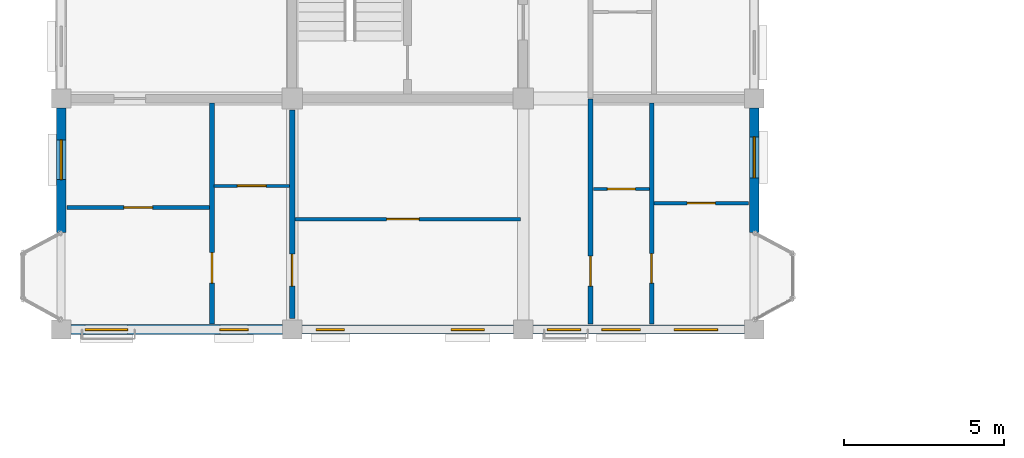
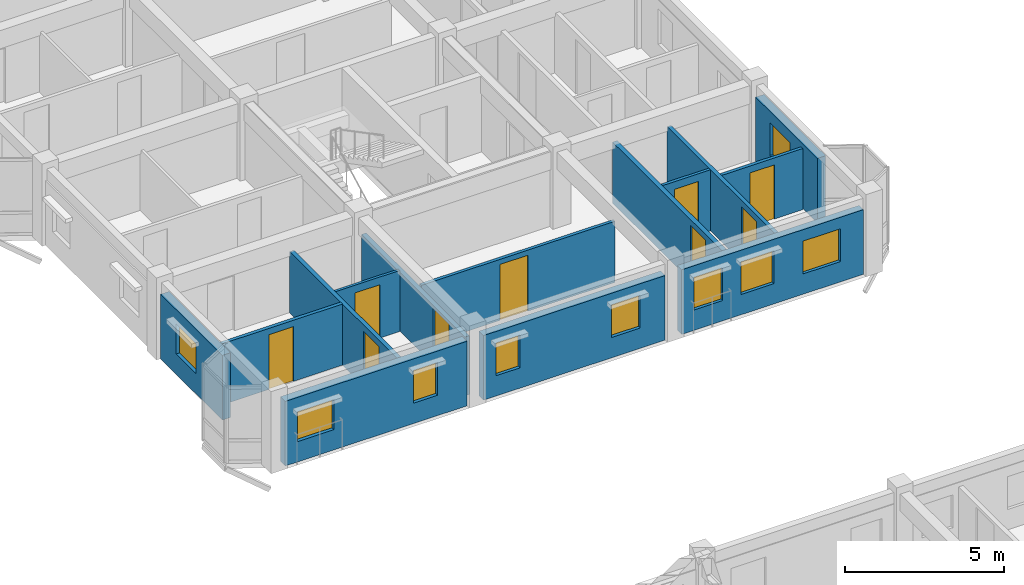
# One storey, part 94 of 124: 14 walls, 9 doors, 9 windows, 18 openings.
"""IFC4 building model written with IfcOpenShell, lengths in metres."""

from ifc_helpers import new_model, si_unit, direction, frame, frame_2d, origin, place, context, subcontext, project, spatial, rectangle, extrude, material, layer, layer_set, type_object, element, fill, save


model = new_model("IFC4")

# Units and contexts
model_context = context("Model", 3, precision=1e-05, world=origin(), true_north=direction((0.0, 1.0)))
body_context = subcontext(model_context, "Body", "Model", "MODEL_VIEW")
ifc_project = project(units=[si_unit("LENGTHUNIT", "METRE"), si_unit("AREAUNIT", "SQUARE_METRE"), si_unit("VOLUMEUNIT", "CUBIC_METRE"), si_unit("PLANEANGLEUNIT", "RADIAN"), si_unit("MASSUNIT", "GRAM", prefix="KILO"), si_unit("THERMODYNAMICTEMPERATUREUNIT", "KELVIN"), si_unit("POWERUNIT", "WATT")], contexts=[model_context])

# Site, building, storey
site_placement = place(None, origin())
site = spatial("IfcSite", under=ifc_project, at=site_placement, CompositionType="ELEMENT")
building_placement = place(site_placement, origin())
building = spatial("IfcBuilding", under=site, at=building_placement, Name="Tavuni Mirador Residences", CompositionType="ELEMENT")
storey_placement = place(building_placement, frame((0.0, 0.0, 7.64990234375)))
storey = spatial("IfcBuildingStorey", under=building, at=storey_placement, Name="L02", CompositionType="ELEMENT", Elevation=7.64990234375)

# Wall, opening, door
ifc_material_1 = material(Name="Precast concrete C40/50", Category="concrete")
ifc_layer_1 = layer(ifc_material_1, 0.1650390625, Name="Precast concrete C40/50", Category="concrete")
ifc_layer_set_1 = layer_set([ifc_layer_1], Name="Precast concrete C40/50")
wall_type_1 = type_object("IfcWallType", Name="WT-CORR165", PredefinedType="PARTITIONING", material=ifc_layer_set_1)
wall_1_placement = place(storey_placement, frame((20.10009765625, 64.97509765625, 0.0), z_axis=(0.0, 0.0, 1.0), x_axis=(0.0, 1.0, 0.0)))
wall_1 = element("IfcWall", 1, at=wall_1_placement, inside=storey, type_object=wall_type_1, Name="CORW-BLK-B-L02-0-00", PredefinedType="PARTITIONING", context=body_context, shape_type="SweptSolid", body=[
    extrude(rectangle(XDim=7.0048828125, YDim=0.1650390625, at=frame_2d((3.50244140625, 0.0))), origin(), (0.0, 0.0, 1.0), 2.34521484375),
])
opening_1_placement = place(wall_1_placement, frame((1.175048828125, 0.0, 0.0)))
opening_1 = element("IfcOpeningElement", 2, at=opening_1_placement, cuts=wall_1, Name="Opening D-19", PredefinedType="OPENING", context=body_context, shape_type="SweptSolid", body=[
    extrude(rectangle(XDim=0.93994140625, YDim=2.1201171875, at=frame_2d((0.469970703125, 1.06005859375))), frame((0.0, 0.092529296875, 0.0), z_axis=(0.0, -1.0, 0.0), x_axis=(1.0, 0.0, 0.0)), (0.0, 0.0, 1.0), 0.18505859375),
])
ifc_material_2 = material(Name="Solid core iroko timber", Category="wood")
door_type_1 = type_object("IfcDoorType", Name="DT-FD60-940", OperationType="NOTDEFINED", PredefinedType="DOOR", material=ifc_material_2)
door_1_placement = place(opening_1_placement, origin())
door_1 = element("IfcDoor", 3, at=door_1_placement, inside=storey, type_object=door_type_1, Name="DR-2545", OperationType="SINGLE_SWING_RIGHT", OverallHeight=2.1201171875, OverallWidth=0.93994140625, PredefinedType="DOOR", context=body_context, shape_type="SweptSolid", body=[
    extrude(rectangle(XDim=0.93994140625, YDim=2.1201171875, at=frame_2d((0.469970703125, 1.06005859375))), frame((0.0, 0.02490234375, 0.0), z_axis=(0.0, -1.0, 0.0), x_axis=(1.0, 0.0, 0.0)), (0.0, 0.0, 1.0), 0.050048828125),
])
fill(opening_1, door_1)

wall_2_placement = place(storey_placement, frame((10.800048828125, 65.14990234375, 0.0), z_axis=(0.0, 0.0, 1.0), x_axis=(0.0, 1.0, 0.0)))
wall_2 = element("IfcWall", 4, at=wall_2_placement, inside=storey, type_object=wall_type_1, Name="CORW-BLK-B-L02-1-00", PredefinedType="PARTITIONING", context=body_context, shape_type="SweptSolid", body=[
    extrude(rectangle(XDim=6.5, YDim=0.1650390625, at=frame_2d((3.25, 0.0))), origin(), (0.0, 0.0, 1.0), 2.260009765625),
])
opening_2_placement = place(wall_2_placement, frame((1.0, 0.0, 0.0)))
opening_2 = element("IfcOpeningElement", 5, at=opening_2_placement, cuts=wall_2, Name="Opening D-03", PredefinedType="OPENING", context=body_context, shape_type="SweptSolid", body=[
    extrude(rectangle(XDim=1.0, YDim=2.14990234375, at=frame_2d((0.5, 1.074951171875))), frame((0.0, 0.092529296875, 0.0), z_axis=(0.0, -1.0, 0.0), x_axis=(1.0, 0.0, 0.0)), (0.0, 0.0, 1.0), 0.18505859375),
])
door_type_2 = type_object("IfcDoorType", Name="DT-FD60-1000", OperationType="NOTDEFINED", PredefinedType="DOOR", material=ifc_material_2)
door_2_placement = place(opening_2_placement, origin())
door_2 = element("IfcDoor", 6, at=door_2_placement, inside=storey, type_object=door_type_2, Name="DR-2550", OperationType="SINGLE_SWING_LEFT", OverallHeight=2.14990234375, OverallWidth=1.0, PredefinedType="DOOR", context=body_context, shape_type="SweptSolid", body=[
    extrude(rectangle(XDim=1.0, YDim=2.14990234375, at=frame_2d((0.5, 1.074951171875))), frame((0.0, 0.02490234375, 0.0), z_axis=(0.0, -1.0, 0.0), x_axis=(1.0, 0.0, 0.0)), (0.0, 0.0, 1.0), 0.050048828125),
])
fill(opening_2, door_2)

# Wall, openings, windows
ifc_material_3 = material(Name="Sgraffito lime-rendered precast concrete C40/50", Category="concrete")
ifc_layer_2 = layer(ifc_material_3, 0.27490234375, Name="Sgraffito lime-rendered precast concrete C40/50", Category="concrete")
ifc_layer_set_2 = layer_set([ifc_layer_2], Name="Sgraffito lime-rendered precast concrete C40/50")
wall_type_2 = type_object("IfcWallType", Name="WT-EXT-PC275", PredefinedType="SOLIDWALL", material=ifc_layer_set_2)
wall_3_placement = place(storey_placement, frame((18.300048828125, 64.800048828125, 0.0), z_axis=(0.0, 0.0, 1.0), x_axis=(1.0, 0.0, 0.0)))
wall_3 = element("IfcWall", 7, at=wall_3_placement, inside=storey, type_object=wall_type_2, Name="EW-BLK-B-L02-S02", PredefinedType="SOLIDWALL", context=body_context, shape_type="SweptSolid", body=[
    extrude(rectangle(XDim=6.599853515625, YDim=0.27490234375, at=frame_2d((3.2998046875, 0.0))), origin(), (0.0, 0.0, 1.0), 2.47998046875),
])
opening_3_placement = place(wall_3_placement, frame((0.449951171875, 0.0, 0.780029296875)))
opening_3 = element("IfcOpeningElement", 8, at=opening_3_placement, cuts=wall_3, Name="Opening WN-11", PredefinedType="OPENING", context=body_context, shape_type="SweptSolid", body=[
    extrude(rectangle(XDim=1.0400390625, YDim=1.260009765625, at=frame_2d((0.52001953125, 0.6298828125))), frame((0.0, 0.1474609375, 0.0), z_axis=(0.0, -1.0, 0.0), x_axis=(1.0, 0.0, 0.0)), (0.0, 0.0, 1.0), 0.294921875),
])
opening_4_placement = place(wall_3_placement, frame((2.14990234375, 0.0, 0.780029296875)))
opening_4 = element("IfcOpeningElement", 9, at=opening_4_placement, cuts=wall_3, Name="Opening WN-13", PredefinedType="OPENING", context=body_context, shape_type="SweptSolid", body=[
    extrude(rectangle(XDim=1.199951171875, YDim=1.260009765625, at=frame_2d((0.60009765625, 0.6298828125))), frame((0.0, 0.1474609375, 0.0), z_axis=(0.0, -1.0, 0.0), x_axis=(1.0, 0.0, 0.0)), (0.0, 0.0, 1.0), 0.294921875),
])
opening_5_placement = place(wall_3_placement, frame((4.39990234375, 0.0, 0.780029296875)))
opening_5 = element("IfcOpeningElement", 10, at=opening_5_placement, cuts=wall_3, Name="Opening WN-15", PredefinedType="OPENING", context=body_context, shape_type="SweptSolid", body=[
    extrude(rectangle(XDim=1.360107421875, YDim=1.260009765625, at=frame_2d((0.68017578125, 0.6298828125))), frame((0.0, 0.1474609375, 0.0), z_axis=(0.0, -1.0, 0.0), x_axis=(1.0, 0.0, 0.0)), (0.0, 0.0, 1.0), 0.294921875),
])
ifc_material_4 = material(Name="Laminated solar-control glass", Category="glass")
window_type_1 = type_object("IfcWindowType", Name="WNT-11", PartitioningType="SINGLE_PANEL", PredefinedType="WINDOW", material=ifc_material_4)
window_1_placement = place(opening_3_placement, origin())
window_1 = element("IfcWindow", 11, at=window_1_placement, inside=storey, type_object=window_type_1, Name="WIN-0608", OverallHeight=1.260009765625, OverallWidth=1.0400390625, PartitioningType="SINGLE_PANEL", PredefinedType="WINDOW", context=body_context, shape_type="SweptSolid", body=[
    extrude(rectangle(XDim=1.0400390625, YDim=1.260009765625, at=frame_2d((0.52001953125, 0.6298828125))), frame((0.0, 0.030029296875, 0.0), z_axis=(0.0, -1.0, 0.0), x_axis=(1.0, 0.0, 0.0)), (0.0, 0.0, 1.0), 0.06005859375),
])
fill(opening_3, window_1)
window_type_2 = type_object("IfcWindowType", Name="WNT-13", PartitioningType="SINGLE_PANEL", PredefinedType="WINDOW", material=ifc_material_4)
window_2_placement = place(opening_4_placement, origin())
window_2 = element("IfcWindow", 12, at=window_2_placement, inside=storey, type_object=window_type_2, Name="WIN-0609", OverallHeight=1.260009765625, OverallWidth=1.199951171875, PartitioningType="SINGLE_PANEL", PredefinedType="WINDOW", context=body_context, shape_type="SweptSolid", body=[
    extrude(rectangle(XDim=1.199951171875, YDim=1.260009765625, at=frame_2d((0.60009765625, 0.6298828125))), frame((0.0, 0.030029296875, 0.0), z_axis=(0.0, -1.0, 0.0), x_axis=(1.0, 0.0, 0.0)), (0.0, 0.0, 1.0), 0.06005859375),
])
fill(opening_4, window_2)
window_type_3 = type_object("IfcWindowType", Name="WNT-15", PartitioningType="SINGLE_PANEL", PredefinedType="WINDOW", material=ifc_material_4)
window_3_placement = place(opening_5_placement, origin())
window_3 = element("IfcWindow", 13, at=window_3_placement, inside=storey, type_object=window_type_3, Name="WIN-0610", OverallHeight=1.260009765625, OverallWidth=1.360107421875, PartitioningType="SINGLE_PANEL", PredefinedType="WINDOW", context=body_context, shape_type="SweptSolid", body=[
    extrude(rectangle(XDim=1.360107421875, YDim=1.260009765625, at=frame_2d((0.68017578125, 0.6298828125))), frame((0.0, 0.030029296875, 0.0), z_axis=(0.0, -1.0, 0.0), x_axis=(1.0, 0.0, 0.0)), (0.0, 0.0, 1.0), 0.06005859375),
])
fill(opening_5, window_3)

ifc_layer_3 = layer(ifc_material_3, 0.2900390625, Name="Sgraffito lime-rendered precast concrete C40/50", Category="concrete")
ifc_layer_set_3 = layer_set([ifc_layer_3], Name="Sgraffito lime-rendered precast concrete C40/50")
wall_type_3 = type_object("IfcWallType", Name="WT-EXT-PC290", PredefinedType="SOLIDWALL", material=ifc_layer_set_3)
wall_4_placement = place(storey_placement, frame((11.10009765625, 64.800048828125, 0.0), z_axis=(0.0, 0.0, 1.0), x_axis=(1.0, 0.0, 0.0)))
wall_4 = element("IfcWall", 14, at=wall_4_placement, inside=storey, type_object=wall_type_3, Name="EW-BLK-B-L02-S01", PredefinedType="SOLIDWALL", context=body_context, shape_type="SweptSolid", body=[
    extrude(rectangle(XDim=6.599853515625, YDim=0.2900390625, at=frame_2d((3.2998046875, 0.0))), origin(), (0.0, 0.0, 1.0), 2.47998046875),
])
opening_6_placement = place(wall_4_placement, frame((0.449951171875, 0.0, 0.780029296875)))
opening_6 = element("IfcOpeningElement", 15, at=opening_6_placement, cuts=wall_4, Name="Opening WN-09", PredefinedType="OPENING", context=body_context, shape_type="SweptSolid", body=[
    extrude(rectangle(XDim=0.8798828125, YDim=1.260009765625, at=frame_2d((0.43994140625, 0.6298828125))), frame((0.0, 0.155029296875, 0.0), z_axis=(0.0, -1.0, 0.0), x_axis=(1.0, 0.0, 0.0)), (0.0, 0.0, 1.0), 0.31005859375),
])
opening_7_placement = place(wall_4_placement, frame((4.64990234375, 0.0, 0.780029296875)))
opening_7 = element("IfcOpeningElement", 16, at=opening_7_placement, cuts=wall_4, Name="Opening WN-11", PredefinedType="OPENING", context=body_context, shape_type="SweptSolid", body=[
    extrude(rectangle(XDim=1.0400390625, YDim=1.260009765625, at=frame_2d((0.52001953125, 0.6298828125))), frame((0.0, 0.155029296875, 0.0), z_axis=(0.0, -1.0, 0.0), x_axis=(1.0, 0.0, 0.0)), (0.0, 0.0, 1.0), 0.31005859375),
])
window_type_4 = type_object("IfcWindowType", Name="WNT-09", PartitioningType="SINGLE_PANEL", PredefinedType="WINDOW", material=ifc_material_4)
window_4_placement = place(opening_6_placement, origin())
window_4 = element("IfcWindow", 17, at=window_4_placement, inside=storey, type_object=window_type_4, Name="WIN-0606", OverallHeight=1.260009765625, OverallWidth=0.8798828125, PartitioningType="SINGLE_PANEL", PredefinedType="WINDOW", context=body_context, shape_type="SweptSolid", body=[
    extrude(rectangle(XDim=0.8798828125, YDim=1.260009765625, at=frame_2d((0.43994140625, 0.6298828125))), frame((0.0, 0.030029296875, 0.0), z_axis=(0.0, -1.0, 0.0), x_axis=(1.0, 0.0, 0.0)), (0.0, 0.0, 1.0), 0.06005859375),
])
fill(opening_6, window_4)
window_5_placement = place(opening_7_placement, origin())
window_5 = element("IfcWindow", 18, at=window_5_placement, inside=storey, type_object=window_type_1, Name="WIN-0607", OverallHeight=1.260009765625, OverallWidth=1.0400390625, PartitioningType="SINGLE_PANEL", PredefinedType="WINDOW", context=body_context, shape_type="SweptSolid", body=[
    extrude(rectangle(XDim=1.0400390625, YDim=1.260009765625, at=frame_2d((0.52001953125, 0.6298828125))), frame((0.0, 0.030029296875, 0.0), z_axis=(0.0, -1.0, 0.0), x_axis=(1.0, 0.0, 0.0)), (0.0, 0.0, 1.0), 0.06005859375),
])
fill(opening_7, window_5)

ifc_layer_4 = layer(ifc_material_3, 0.304931640625, Name="Sgraffito lime-rendered precast concrete C40/50", Category="concrete")
ifc_layer_set_4 = layer_set([ifc_layer_4], Name="Sgraffito lime-rendered precast concrete C40/50")
wall_type_4 = type_object("IfcWallType", Name="WT-EXT-PC305", PredefinedType="SOLIDWALL", material=ifc_layer_set_4)
wall_5_placement = place(storey_placement, frame((3.89990234375, 64.800048828125, 0.0), z_axis=(0.0, 0.0, 1.0), x_axis=(1.0, 0.0, 0.0)))
wall_5 = element("IfcWall", 19, at=wall_5_placement, inside=storey, type_object=wall_type_4, Name="EW-BLK-B-L02-S00", PredefinedType="SOLIDWALL", context=body_context, shape_type="SweptSolid", body=[
    extrude(rectangle(XDim=6.60009765625, YDim=0.304931640625, at=frame_2d((3.300048828125, 0.0))), origin(), (0.0, 0.0, 1.0), 2.47998046875),
])
opening_8_placement = place(wall_5_placement, frame((0.449951171875, 0.0, 0.780029296875)))
opening_8 = element("IfcOpeningElement", 20, at=opening_8_placement, cuts=wall_5, Name="Opening WN-07", PredefinedType="OPENING", context=body_context, shape_type="SweptSolid", body=[
    extrude(rectangle(XDim=1.320068359375, YDim=1.14990234375, at=frame_2d((0.66015625, 0.574951171875))), frame((0.0, 0.16259765625, 0.0), z_axis=(0.0, -1.0, 0.0), x_axis=(1.0, 0.0, 0.0)), (0.0, 0.0, 1.0), 0.324951171875),
])
opening_9_placement = place(wall_5_placement, frame((4.64990234375, 0.0, 0.780029296875)))
opening_9 = element("IfcOpeningElement", 21, at=opening_9_placement, cuts=wall_5, Name="Opening WN-09", PredefinedType="OPENING", context=body_context, shape_type="SweptSolid", body=[
    extrude(rectangle(XDim=0.8798828125, YDim=1.260009765625, at=frame_2d((0.43994140625, 0.6298828125))), frame((0.0, 0.16259765625, 0.0), z_axis=(0.0, -1.0, 0.0), x_axis=(1.0, 0.0, 0.0)), (0.0, 0.0, 1.0), 0.324951171875),
])
window_type_5 = type_object("IfcWindowType", Name="WNT-07", PartitioningType="SINGLE_PANEL", PredefinedType="WINDOW", material=ifc_material_4)
window_6_placement = place(opening_8_placement, origin())
window_6 = element("IfcWindow", 22, at=window_6_placement, inside=storey, type_object=window_type_5, Name="WIN-0604", OverallHeight=1.14990234375, OverallWidth=1.320068359375, PartitioningType="SINGLE_PANEL", PredefinedType="WINDOW", context=body_context, shape_type="SweptSolid", body=[
    extrude(rectangle(XDim=1.320068359375, YDim=1.14990234375, at=frame_2d((0.66015625, 0.574951171875))), frame((0.0, 0.030029296875, 0.0), z_axis=(0.0, -1.0, 0.0), x_axis=(1.0, 0.0, 0.0)), (0.0, 0.0, 1.0), 0.06005859375),
])
fill(opening_8, window_6)
window_7_placement = place(opening_9_placement, origin())
window_7 = element("IfcWindow", 23, at=window_7_placement, inside=storey, type_object=window_type_4, Name="WIN-0605", OverallHeight=1.260009765625, OverallWidth=0.8798828125, PartitioningType="SINGLE_PANEL", PredefinedType="WINDOW", context=body_context, shape_type="SweptSolid", body=[
    extrude(rectangle(XDim=0.8798828125, YDim=1.260009765625, at=frame_2d((0.43994140625, 0.6298828125))), frame((0.0, 0.030029296875, 0.0), z_axis=(0.0, -1.0, 0.0), x_axis=(1.0, 0.0, 0.0)), (0.0, 0.0, 1.0), 0.06005859375),
])
fill(opening_9, window_7)

# Wall, opening, window
wall_6_placement = place(storey_placement, frame((25.199951171875, 67.820068359375, 0.0), z_axis=(0.0, 0.0, 1.0), x_axis=(0.0, 1.0, 0.0)))
wall_6 = element("IfcWall", 24, at=wall_6_placement, inside=storey, type_object=wall_type_4, Name="EW-BLK-B-L02-E00", PredefinedType="SOLIDWALL", context=body_context, shape_type="SweptSolid", body=[
    extrude(rectangle(XDim=3.8798828125, YDim=0.304931640625, at=frame_2d((1.93994140625, 0.0))), origin(), (0.0, 0.0, 1.0), 2.47998046875),
])
opening_10_placement = place(wall_6_placement, frame((1.705078125, 0.0, 0.780029296875)))
opening_10 = element("IfcOpeningElement", 25, at=opening_10_placement, cuts=wall_6, Name="Opening WN-14", PredefinedType="OPENING", context=body_context, shape_type="SweptSolid", body=[
    extrude(rectangle(XDim=1.280029296875, YDim=1.260009765625, at=frame_2d((0.64013671875, 0.6298828125))), frame((0.0, 0.16259765625, 0.0), z_axis=(0.0, -1.0, 0.0), x_axis=(1.0, 0.0, 0.0)), (0.0, 0.0, 1.0), 0.324951171875),
])
window_type_6 = type_object("IfcWindowType", Name="WNT-14", PartitioningType="SINGLE_PANEL", PredefinedType="WINDOW", material=ifc_material_4)
window_8_placement = place(opening_10_placement, origin())
window_8 = element("IfcWindow", 26, at=window_8_placement, inside=storey, type_object=window_type_6, Name="WIN-0611", OverallHeight=1.260009765625, OverallWidth=1.280029296875, PartitioningType="SINGLE_PANEL", PredefinedType="WINDOW", context=body_context, shape_type="SweptSolid", body=[
    extrude(rectangle(XDim=1.280029296875, YDim=1.260009765625, at=frame_2d((0.64013671875, 0.6298828125))), frame((0.0, 0.030029296875, 0.0), z_axis=(0.0, -1.0, 0.0), x_axis=(1.0, 0.0, 0.0)), (0.0, 0.0, 1.0), 0.06005859375),
])
fill(opening_10, window_8)

wall_7_placement = place(storey_placement, frame((3.60009765625, 71.699951171875, 0.0), z_axis=(0.0, 0.0, 1.0), x_axis=(0.0, -1.0, 0.0)))
wall_7 = element("IfcWall", 27, at=wall_7_placement, inside=storey, type_object=wall_type_4, Name="EW-BLK-B-L02-W00", PredefinedType="SOLIDWALL", context=body_context, shape_type="SweptSolid", body=[
    extrude(rectangle(XDim=3.8798828125, YDim=0.304931640625, at=frame_2d((1.93994140625, 0.0))), origin(), (0.0, 0.0, 1.0), 2.47998046875),
])
opening_11_placement = place(wall_7_placement, frame((0.985107421875, 0.0, 0.780029296875)))
opening_11 = element("IfcOpeningElement", 28, at=opening_11_placement, cuts=wall_7, Name="Opening WN-06", PredefinedType="OPENING", context=body_context, shape_type="SweptSolid", body=[
    extrude(rectangle(XDim=1.239990234375, YDim=1.14990234375, at=frame_2d((0.6201171875, 0.574951171875))), frame((0.0, 0.16259765625, 0.0), z_axis=(0.0, -1.0, 0.0), x_axis=(1.0, 0.0, 0.0)), (0.0, 0.0, 1.0), 0.324951171875),
])
window_type_7 = type_object("IfcWindowType", Name="WNT-06", PartitioningType="SINGLE_PANEL", PredefinedType="WINDOW", material=ifc_material_4)
window_9_placement = place(opening_11_placement, origin())
window_9 = element("IfcWindow", 29, at=window_9_placement, inside=storey, type_object=window_type_7, Name="WIN-0633", OverallHeight=1.14990234375, OverallWidth=1.239990234375, PartitioningType="SINGLE_PANEL", PredefinedType="WINDOW", context=body_context, shape_type="SweptSolid", body=[
    extrude(rectangle(XDim=1.239990234375, YDim=1.14990234375, at=frame_2d((0.6201171875, 0.574951171875))), frame((0.0, 0.030029296875, 0.0), z_axis=(0.0, -1.0, 0.0), x_axis=(1.0, 0.0, 0.0)), (0.0, 0.0, 1.0), 0.06005859375),
])
fill(opening_11, window_9)

# Wall, opening, door
ifc_material_5 = material(Name="Acoustic gypsum and concrete block partition", Category="concrete")
ifc_layer_5 = layer(ifc_material_5, 0.094970703125, Name="Acoustic gypsum and concrete block partition", Category="concrete")
ifc_layer_set_5 = layer_set([ifc_layer_5], Name="Acoustic gypsum and concrete block partition")
wall_type_5 = type_object("IfcWallType", Name="WT-PART095", PredefinedType="PARTITIONING", material=ifc_layer_set_5)
wall_8_placement = place(storey_placement, frame((8.3701171875, 69.280029296875, 0.0), z_axis=(0.0, 0.0, 1.0), x_axis=(1.0, 0.0, 0.0)))
wall_8 = element("IfcWall", 30, at=wall_8_placement, inside=storey, type_object=wall_type_5, Name="PW-BLK-B-L02-W00-IN1", PredefinedType="PARTITIONING", context=body_context, shape_type="SweptSolid", body=[
    extrude(rectangle(XDim=2.33984375, YDim=0.094970703125, at=frame_2d((1.169921875, 0.0))), origin(), (0.0, 0.0, 1.0), 2.34521484375),
])
opening_12_placement = place(wall_8_placement, frame((0.719970703125, 0.0, 0.0)))
opening_12 = element("IfcOpeningElement", 31, at=opening_12_placement, cuts=wall_8, Name="Opening D-09", PredefinedType="OPENING", context=body_context, shape_type="SweptSolid", body=[
    extrude(rectangle(XDim=0.89990234375, YDim=2.050048828125, at=frame_2d((0.449951171875, 1.02490234375))), frame((0.0, 0.0576171875, 0.0), z_axis=(0.0, -1.0, 0.0), x_axis=(1.0, 0.0, 0.0)), (0.0, 0.0, 1.0), 0.114990234375),
])
door_type_3 = type_object("IfcDoorType", Name="DT-WC900", OperationType="NOTDEFINED", PredefinedType="DOOR", material=ifc_material_2)
door_3_placement = place(opening_12_placement, origin())
door_3 = element("IfcDoor", 32, at=door_3_placement, inside=storey, type_object=door_type_3, Name="DR-3474", OperationType="SINGLE_SWING_RIGHT", OverallHeight=2.050048828125, OverallWidth=0.89990234375, PredefinedType="DOOR", context=body_context, shape_type="SweptSolid", body=[
    extrude(rectangle(XDim=0.89990234375, YDim=2.050048828125, at=frame_2d((0.449951171875, 1.02490234375))), frame((0.0, 0.02490234375, 0.0), z_axis=(0.0, -1.0, 0.0), x_axis=(1.0, 0.0, 0.0)), (0.0, 0.0, 1.0), 0.050048828125),
])
fill(opening_12, door_3)

ifc_layer_6 = layer(ifc_material_5, 0.10498046875, Name="Acoustic gypsum and concrete block partition", Category="concrete")
ifc_layer_set_6 = layer_set([ifc_layer_6], Name="Acoustic gypsum and concrete block partition")
wall_type_6 = type_object("IfcWallType", Name="WT-PART105", PredefinedType="PARTITIONING", material=ifc_layer_set_6)
wall_9_placement = place(storey_placement, frame((20.18994140625, 69.179931640625, 0.0), z_axis=(0.0, 0.0, 1.0), x_axis=(1.0, 0.0, 0.0)))
wall_9 = element("IfcWall", 33, at=wall_9_placement, inside=storey, type_object=wall_type_6, Name="PW-BLK-B-L02-E00-IN1", PredefinedType="PARTITIONING", context=body_context, shape_type="SweptSolid", body=[
    extrude(rectangle(XDim=1.739990234375, YDim=0.10498046875, at=frame_2d((0.8701171875, 0.0))), origin(), (0.0, 0.0, 1.0), 2.34521484375),
])
opening_13_placement = place(wall_9_placement, frame((0.43505859375, 0.0, 0.0)))
opening_13 = element("IfcOpeningElement", 34, at=opening_13_placement, cuts=wall_9, Name="Opening D-10", PredefinedType="OPENING", context=body_context, shape_type="SweptSolid", body=[
    extrude(rectangle(XDim=0.8701171875, YDim=2.050048828125, at=frame_2d((0.43505859375, 1.02490234375))), frame((0.0, 0.0625, 0.0), z_axis=(0.0, -1.0, 0.0), x_axis=(1.0, 0.0, 0.0)), (0.0, 0.0, 1.0), 0.125),
])
door_type_4 = type_object("IfcDoorType", Name="DT-WC870", OperationType="NOTDEFINED", PredefinedType="DOOR", material=ifc_material_2)
door_4_placement = place(opening_13_placement, origin())
door_4 = element("IfcDoor", 35, at=door_4_placement, inside=storey, type_object=door_type_4, Name="DR-3477", OperationType="SINGLE_SWING_LEFT", OverallHeight=2.050048828125, OverallWidth=0.8701171875, PredefinedType="DOOR", context=body_context, shape_type="SweptSolid", body=[
    extrude(rectangle(XDim=0.8701171875, YDim=2.050048828125, at=frame_2d((0.43505859375, 1.02490234375))), frame((0.0, 0.02490234375, 0.0), z_axis=(0.0, -1.0, 0.0), x_axis=(1.0, 0.0, 0.0)), (0.0, 0.0, 1.0), 0.050048828125),
])
fill(opening_13, door_4)

ifc_layer_7 = layer(ifc_material_5, 0.114990234375, Name="Acoustic gypsum and concrete block partition", Category="concrete")
ifc_layer_set_7 = layer_set([ifc_layer_7], Name="Acoustic gypsum and concrete block partition")
wall_type_7 = type_object("IfcWallType", Name="WT-PART115", PredefinedType="PARTITIONING", material=ifc_layer_set_7)
wall_10_placement = place(storey_placement, frame((10.889892578125, 68.239990234375, 0.0), z_axis=(0.0, 0.0, 1.0), x_axis=(1.0, 0.0, 0.0)))
wall_10 = element("IfcWall", 36, at=wall_10_placement, inside=storey, type_object=wall_type_7, Name="PW-SPN-BLK-B-L02-00", PredefinedType="PARTITIONING", context=body_context, shape_type="SweptSolid", body=[
    extrude(rectangle(XDim=7.02001953125, YDim=0.114990234375, at=frame_2d((3.510009765625, 0.0))), origin(), (0.0, 0.0, 1.0), 2.34521484375),
])
opening_14_placement = place(wall_10_placement, frame((2.85009765625, 0.0, 0.0)))
opening_14 = element("IfcOpeningElement", 37, at=opening_14_placement, cuts=wall_10, Name="Opening D-13", PredefinedType="OPENING", context=body_context, shape_type="SweptSolid", body=[
    extrude(rectangle(XDim=1.02001953125, YDim=2.14990234375, at=frame_2d((0.510009765625, 1.074951171875))), frame((0.0, 0.0673828125, 0.0), z_axis=(0.0, -1.0, 0.0), x_axis=(1.0, 0.0, 0.0)), (0.0, 0.0, 1.0), 0.135009765625),
])
door_type_5 = type_object("IfcDoorType", Name="DT-MTG1020", OperationType="NOTDEFINED", PredefinedType="DOOR", material=ifc_material_2)
door_5_placement = place(opening_14_placement, origin())
door_5 = element("IfcDoor", 38, at=door_5_placement, inside=storey, type_object=door_type_5, Name="DR-3472", OperationType="SINGLE_SWING_LEFT", OverallHeight=2.14990234375, OverallWidth=1.02001953125, PredefinedType="DOOR", context=body_context, shape_type="SweptSolid", body=[
    extrude(rectangle(XDim=1.02001953125, YDim=2.14990234375, at=frame_2d((0.510009765625, 1.074951171875))), frame((0.0, 0.02490234375, 0.0), z_axis=(0.0, -1.0, 0.0), x_axis=(1.0, 0.0, 0.0)), (0.0, 0.0, 1.0), 0.050048828125),
])
fill(opening_14, door_5)

wall_11_placement = place(storey_placement, frame((22.070068359375, 68.739990234375, 0.0), z_axis=(0.0, 0.0, 1.0), x_axis=(1.0, 0.0, 0.0)))
wall_11 = element("IfcWall", 39, at=wall_11_placement, inside=storey, type_object=wall_type_7, Name="PW-BLK-B-L02-E00-OUT", PredefinedType="PARTITIONING", context=body_context, shape_type="SweptSolid", body=[
    extrude(rectangle(XDim=2.954833984375, YDim=0.114990234375, at=frame_2d((1.4775390625, 0.0))), origin(), (0.0, 0.0, 1.0), 2.34521484375),
])
opening_15_placement = place(wall_11_placement, frame((1.03759765625, 0.0, 0.0)))
opening_15 = element("IfcOpeningElement", 40, at=opening_15_placement, cuts=wall_11, Name="Opening D-08", PredefinedType="OPENING", context=body_context, shape_type="SweptSolid", body=[
    extrude(rectangle(XDim=0.8798828125, YDim=2.080078125, at=frame_2d((0.43994140625, 1.0400390625))), frame((0.0, 0.0673828125, 0.0), z_axis=(0.0, -1.0, 0.0), x_axis=(1.0, 0.0, 0.0)), (0.0, 0.0, 1.0), 0.135009765625),
])
door_type_6 = type_object("IfcDoorType", Name="DT-BED880", OperationType="NOTDEFINED", PredefinedType="DOOR", material=ifc_material_2)
door_6_placement = place(opening_15_placement, origin())
door_6 = element("IfcDoor", 41, at=door_6_placement, inside=storey, type_object=door_type_6, Name="DR-3476", OperationType="SINGLE_SWING_RIGHT", OverallHeight=2.080078125, OverallWidth=0.8798828125, PredefinedType="DOOR", context=body_context, shape_type="SweptSolid", body=[
    extrude(rectangle(XDim=0.8798828125, YDim=2.080078125, at=frame_2d((0.43994140625, 1.0400390625))), frame((0.0, 0.02490234375, 0.0), z_axis=(0.0, -1.0, 0.0), x_axis=(1.0, 0.0, 0.0)), (0.0, 0.0, 1.0), 0.050048828125),
])
fill(opening_15, door_6)

ifc_layer_8 = layer(ifc_material_5, 0.125, Name="Acoustic gypsum and concrete block partition", Category="concrete")
ifc_layer_set_8 = layer_set([ifc_layer_8], Name="Acoustic gypsum and concrete block partition")
wall_type_8 = type_object("IfcWallType", Name="WT-PART125", PredefinedType="PARTITIONING", material=ifc_layer_set_8)
wall_12_placement = place(storey_placement, frame((3.77490234375, 68.60009765625, 0.0), z_axis=(0.0, 0.0, 1.0), x_axis=(1.0, 0.0, 0.0)))
wall_12 = element("IfcWall", 42, at=wall_12_placement, inside=storey, type_object=wall_type_8, Name="PW-BLK-B-L02-W00-OUT", PredefinedType="PARTITIONING", context=body_context, shape_type="SweptSolid", body=[
    extrude(rectangle(XDim=4.455078125, YDim=0.125, at=frame_2d((2.2275390625, 0.0))), origin(), (0.0, 0.0, 1.0), 2.34521484375),
])
opening_16_placement = place(wall_12_placement, frame((1.777587890625, 0.0, 0.0)))
opening_16 = element("IfcOpeningElement", 43, at=opening_16_placement, cuts=wall_12, Name="Opening D-07", PredefinedType="OPENING", context=body_context, shape_type="SweptSolid", body=[
    extrude(rectangle(XDim=0.89990234375, YDim=2.10009765625, at=frame_2d((0.449951171875, 1.050048828125))), frame((0.0, 0.072509765625, 0.0), z_axis=(0.0, -1.0, 0.0), x_axis=(1.0, 0.0, 0.0)), (0.0, 0.0, 1.0), 0.14501953125),
])
door_type_7 = type_object("IfcDoorType", Name="DT-BED900", OperationType="NOTDEFINED", PredefinedType="DOOR", material=ifc_material_2)
door_7_placement = place(opening_16_placement, origin())
door_7 = element("IfcDoor", 44, at=door_7_placement, inside=storey, type_object=door_type_7, Name="DR-3473", OperationType="SINGLE_SWING_LEFT", OverallHeight=2.10009765625, OverallWidth=0.89990234375, PredefinedType="DOOR", context=body_context, shape_type="SweptSolid", body=[
    extrude(rectangle(XDim=0.89990234375, YDim=2.10009765625, at=frame_2d((0.449951171875, 1.050048828125))), frame((0.0, 0.02490234375, 0.0), z_axis=(0.0, -1.0, 0.0), x_axis=(1.0, 0.0, 0.0)), (0.0, 0.0, 1.0), 0.050048828125),
])
fill(opening_16, door_7)

ifc_layer_9 = layer(ifc_material_5, 0.139892578125, Name="Acoustic gypsum and concrete block partition", Category="concrete")
ifc_layer_set_9 = layer_set([ifc_layer_9], Name="Acoustic gypsum and concrete block partition")
wall_type_9 = type_object("IfcWallType", Name="WT-PART140", PredefinedType="PARTITIONING", material=ifc_layer_set_9)
wall_13_placement = place(storey_placement, frame((22.0, 64.97509765625, 0.0), z_axis=(0.0, 0.0, 1.0), x_axis=(0.0, 1.0, 0.0)))
wall_13 = element("IfcWall", 45, at=wall_13_placement, inside=storey, type_object=wall_type_9, Name="PW-BLK-B-L02-E00-MID", PredefinedType="PARTITIONING", context=body_context, shape_type="SweptSolid", body=[
    extrude(rectangle(XDim=6.885009765625, YDim=0.139892578125, at=frame_2d((3.4423828125, 0.0))), origin(), (0.0, 0.0, 1.0), 2.34521484375),
])
opening_17_placement = place(wall_13_placement, frame((1.27490234375, 0.0, 0.0)))
opening_17 = element("IfcOpeningElement", 46, at=opening_17_placement, cuts=wall_13, Name="Opening D-06", PredefinedType="OPENING", context=body_context, shape_type="SweptSolid", body=[
    extrude(rectangle(XDim=0.919921875, YDim=2.10009765625, at=frame_2d((0.4599609375, 1.050048828125))), frame((0.0, 0.080078125, 0.0), z_axis=(0.0, -1.0, 0.0), x_axis=(1.0, 0.0, 0.0)), (0.0, 0.0, 1.0), 0.159912109375),
])
door_type_8 = type_object("IfcDoorType", Name="DT-INT920", OperationType="NOTDEFINED", PredefinedType="DOOR", material=ifc_material_2)
door_8_placement = place(opening_17_placement, origin())
door_8 = element("IfcDoor", 47, at=door_8_placement, inside=storey, type_object=door_type_8, Name="DR-3478", OperationType="SINGLE_SWING_RIGHT", OverallHeight=2.10009765625, OverallWidth=0.919921875, PredefinedType="DOOR", context=body_context, shape_type="SweptSolid", body=[
    extrude(rectangle(XDim=0.919921875, YDim=2.10009765625, at=frame_2d((0.4599609375, 1.050048828125))), frame((0.0, 0.02490234375, 0.0), z_axis=(0.0, -1.0, 0.0), x_axis=(1.0, 0.0, 0.0)), (0.0, 0.0, 1.0), 0.050048828125),
])
fill(opening_17, door_8)

ifc_layer_10 = layer(ifc_material_5, 0.14990234375, Name="Acoustic gypsum and concrete block partition", Category="concrete")
ifc_layer_set_10 = layer_set([ifc_layer_10], Name="Acoustic gypsum and concrete block partition")
wall_type_10 = type_object("IfcWallType", Name="WT-PART150", PredefinedType="PARTITIONING", material=ifc_layer_set_10)
wall_14_placement = place(storey_placement, frame((8.300048828125, 64.97509765625, 0.0), z_axis=(0.0, 0.0, 1.0), x_axis=(0.0, 1.0, 0.0)))
wall_14 = element("IfcWall", 48, at=wall_14_placement, inside=storey, type_object=wall_type_10, Name="PW-BLK-B-L02-W00-MID", PredefinedType="PARTITIONING", context=body_context, shape_type="SweptSolid", body=[
    extrude(rectangle(XDim=6.885009765625, YDim=0.14990234375, at=frame_2d((3.4423828125, 0.0))), origin(), (0.0, 0.0, 1.0), 2.34521484375),
])
opening_18_placement = place(wall_14_placement, frame((1.27490234375, 0.0, 0.0)))
opening_18 = element("IfcOpeningElement", 49, at=opening_18_placement, cuts=wall_14, Name="Opening D-05", PredefinedType="OPENING", context=body_context, shape_type="SweptSolid", body=[
    extrude(rectangle(XDim=0.949951171875, YDim=2.10009765625, at=frame_2d((0.47509765625, 1.050048828125))), frame((0.0, 0.0849609375, 0.0), z_axis=(0.0, -1.0, 0.0), x_axis=(1.0, 0.0, 0.0)), (0.0, 0.0, 1.0), 0.169921875),
])
door_type_9 = type_object("IfcDoorType", Name="DT-INT950", OperationType="NOTDEFINED", PredefinedType="DOOR", material=ifc_material_2)
door_9_placement = place(opening_18_placement, origin())
door_9 = element("IfcDoor", 50, at=door_9_placement, inside=storey, type_object=door_type_9, Name="DR-3475", OperationType="SINGLE_SWING_LEFT", OverallHeight=2.10009765625, OverallWidth=0.949951171875, PredefinedType="DOOR", context=body_context, shape_type="SweptSolid", body=[
    extrude(rectangle(XDim=0.949951171875, YDim=2.10009765625, at=frame_2d((0.47509765625, 1.050048828125))), frame((0.0, 0.02490234375, 0.0), z_axis=(0.0, -1.0, 0.0), x_axis=(1.0, 0.0, 0.0)), (0.0, 0.0, 1.0), 0.050048828125),
])
fill(opening_18, door_9)

save(model, "model.ifc")
